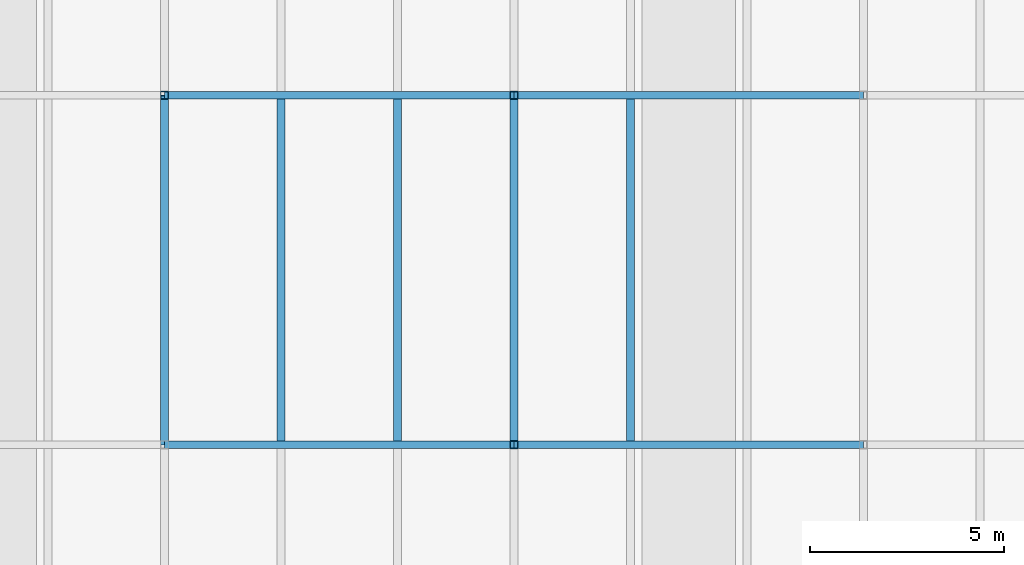
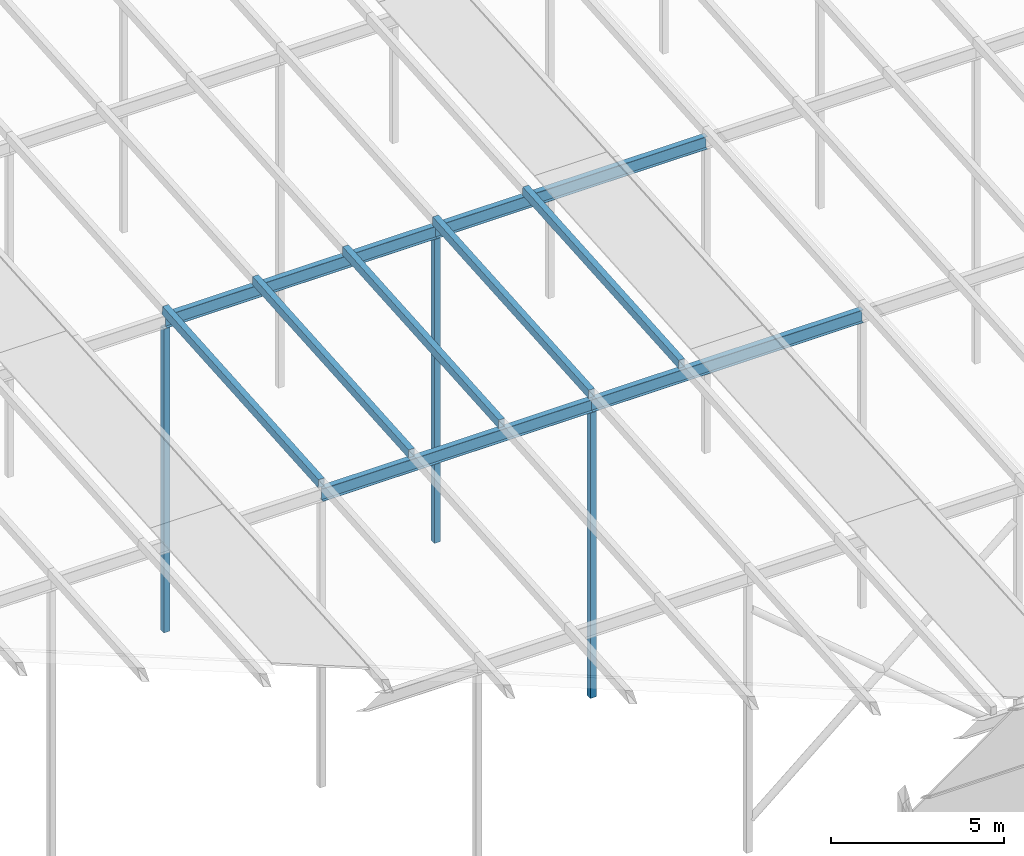
# One storey, part 9 of 84: 8 members, 4 beams.
"""IFC4 building model written with IfcOpenShell, lengths in metres."""

from ifc_helpers import new_model, si_unit, direction, frame, origin, origin_2d, place, context, subcontext, project, spatial, hollow_rectangle, i_section, extrude, material, material_profile, profile_set, type_object, element, save


model = new_model("IFC4")

# Units and contexts
model_context = context("Model", 3, precision=1e-05, world=origin(), true_north=direction((0.0, 1.0)))
body_context = subcontext(model_context, "Body", "Model", "MODEL_VIEW")
ifc_project = project(units=[si_unit("LENGTHUNIT", "METRE"), si_unit("AREAUNIT", "SQUARE_METRE"), si_unit("VOLUMEUNIT", "CUBIC_METRE"), si_unit("PLANEANGLEUNIT", "RADIAN"), si_unit("MASSUNIT", "GRAM", prefix="KILO")], contexts=[model_context])

# Site, building, storey
site_placement = place(None, origin())
site = spatial("IfcSite", under=ifc_project, at=site_placement, CompositionType="ELEMENT")
building_placement = place(site_placement, origin())
building = spatial("IfcBuilding", under=site, at=building_placement, Name="Silverbay Arena", CompositionType="ELEMENT")
storey_placement = place(building_placement, frame((0.0, 0.0, 47.10009765625)))
storey = spatial("IfcBuildingStorey", under=building, at=storey_placement, Name="ROOF", CompositionType="ELEMENT", Elevation=47.10009765625)

# Members
ifc_material_1 = material(Name="Steel S355", Category="steel")
ifc_material_profile_1 = material_profile(ifc_material_1, hollow_rectangle(XDim=0.199951171875, YDim=0.300048828125, WallThickness=0.00634765625, at=origin_2d()), Name="RHS 300x200x6.3")
ifc_profile_set_1 = profile_set([ifc_material_profile_1], Name="Steel S355")
member_type_1 = type_object("IfcMemberType", Name="Purlin RHS 300x200x6.3", PredefinedType="PURLIN", material=ifc_profile_set_1)
for number, where, z_axis, x_axis, name in (
    (1, (117.0, 45.0, 10.049560546875), (0.0, 0.997402911363, 0.072023832195), (-1.0, 0.0, 0.0), "ROOF PURLIN crown line 13 bay 03"),
    (2, (120.0, 45.0, 10.049560546875), (0.0, 0.997402911363, 0.072023832195), (-1.0, 0.0, 0.0), "ROOF PURLIN crown line 14 bay 03"),
    (3, (123.0, 45.0, 10.049560546875), (0.0, 0.997402911363, 0.072023832195), (-1.0, 0.0, 0.0), "ROOF PURLIN crown line 15 bay 03"),
    (4, (126.0, 45.0, 10.049560546875), (0.0, 0.997402911363, 0.072023832195), (-1.0, 0.0, 0.0), "ROOF PURLIN crown line 16 bay 03"),
    (5, (129.0, 45.0, 10.049560546875), (0.0, 0.997402911363, 0.072023832195), (-1.0, 0.0, 0.0), "ROOF PURLIN crown line 17 bay 03"),
):
    element("IfcMember", number, at=place(storey_placement, frame(where, z_axis=z_axis, x_axis=x_axis)), inside=storey, type_object=member_type_1, Name=name, PredefinedType="PURLIN", context=body_context, shape_type="SweptSolid", body=[
        extrude(hollow_rectangle(XDim=0.199951171875, YDim=0.300048828125, WallThickness=0.00634765625, at=origin_2d()), origin(), (0.0, 0.0, 1.0), 9.0234375),
    ])

# Beams
ifc_material_2 = material(Name="Steel S355", Category="steel")
ifc_material_profile_2 = material_profile(ifc_material_2, i_section(OverallWidth=0.18994140625, OverallDepth=0.453369140625, WebThickness=0.008544921875, FlangeThickness=0.0126953125, at=origin_2d()), Name="UB 457x191x67")
ifc_profile_set_2 = profile_set([ifc_material_profile_2], Name="Steel S355")
beam_type = type_object("IfcBeamType", Name="Ring beam UB 457x191x67", PredefinedType="BEAM", material=ifc_profile_set_2)
for number, where, z_axis, x_axis, name in (
    (6, (117.0, 45.0, 9.67236328125), (1.0, 0.0, 0.0), (0.0, 1.0, 0.0), "RING BEAM crown row 03 14-15"),
    (7, (126.0, 45.0, 9.67236328125), (1.0, 0.0, 0.0), (0.0, 1.0, 0.0), "RING BEAM crown row 03 15-16"),
    (8, (117.0, 54.0, 10.322509765625), (1.0, 0.0, 0.0), (0.0, 1.0, 0.0), "RING BEAM crown row 04 14-15"),
    (9, (126.0, 54.0, 10.322509765625), (1.0, 0.0, 0.0), (0.0, 1.0, 0.0), "RING BEAM crown row 04 15-16"),
):
    element("IfcBeam", number, at=place(storey_placement, frame(where, z_axis=z_axis, x_axis=x_axis)), inside=storey, type_object=beam_type, Name=name, PredefinedType="BEAM", context=body_context, shape_type="SweptSolid", body=[
        extrude(i_section(OverallWidth=0.18994140625, OverallDepth=0.453369140625, WebThickness=0.008544921875, FlangeThickness=0.0126953125, at=origin_2d()), origin(), (0.0, 0.0, 1.0), 9.0),
    ])

# Members
ifc_material_3 = material(Name="Steel S355", Category="steel")
ifc_material_profile_3 = material_profile(ifc_material_3, hollow_rectangle(XDim=0.199951171875, YDim=0.199951171875, WallThickness=0.008056640625, at=origin_2d()), Name="SHS 200x200x8")
ifc_profile_set_3 = profile_set([ifc_material_profile_3], Name="Steel S355")
member_type_2 = type_object("IfcMemberType", Name="Roof post SHS 200x200x8", PredefinedType="POST", material=ifc_profile_set_3)
member_1_placement = place(storey_placement, frame((117.0, 54.0, -0.60009765625), z_axis=(0.0, 0.0, 1.0), x_axis=(1.0, 0.0, 0.0)))
element("IfcMember", 10, at=member_1_placement, inside=storey, type_object=member_type_2, Name="ROOF CROWN POST 14 row 04", PredefinedType="POST", context=body_context, shape_type="SweptSolid", body=[
    extrude(hollow_rectangle(XDim=0.199951171875, YDim=0.199951171875, WallThickness=0.008056640625, at=origin_2d()), origin(), (0.0, 0.0, 1.0), 10.69580078125),
])
member_2_placement = place(storey_placement, frame((126.0, 45.0, -0.60009765625), z_axis=(0.0, 0.0, 1.0), x_axis=(1.0, 0.0, 0.0)))
element("IfcMember", 11, at=member_2_placement, inside=storey, type_object=member_type_2, Name="ROOF CROWN POST 15 row 03", PredefinedType="POST", context=body_context, shape_type="SweptSolid", body=[
    extrude(hollow_rectangle(XDim=0.199951171875, YDim=0.199951171875, WallThickness=0.008056640625, at=origin_2d()), origin(), (0.0, 0.0, 1.0), 10.0458984375),
])
member_3_placement = place(storey_placement, frame((126.0, 54.0, -0.60009765625), z_axis=(0.0, 0.0, 1.0), x_axis=(1.0, 0.0, 0.0)))
element("IfcMember", 12, at=member_3_placement, inside=storey, type_object=member_type_2, Name="ROOF CROWN POST 15 row 04", PredefinedType="POST", context=body_context, shape_type="SweptSolid", body=[
    extrude(hollow_rectangle(XDim=0.199951171875, YDim=0.199951171875, WallThickness=0.008056640625, at=origin_2d()), origin(), (0.0, 0.0, 1.0), 10.69580078125),
])

save(model, "model.ifc")
